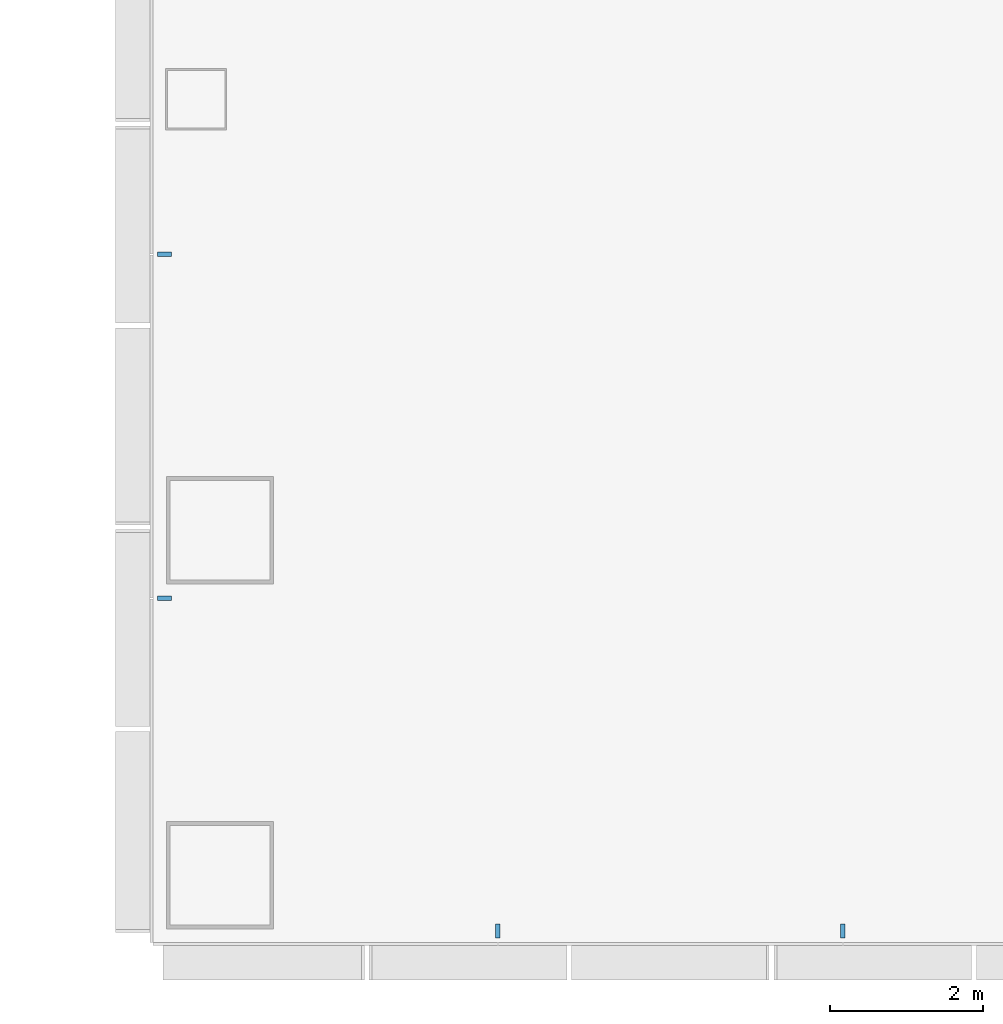
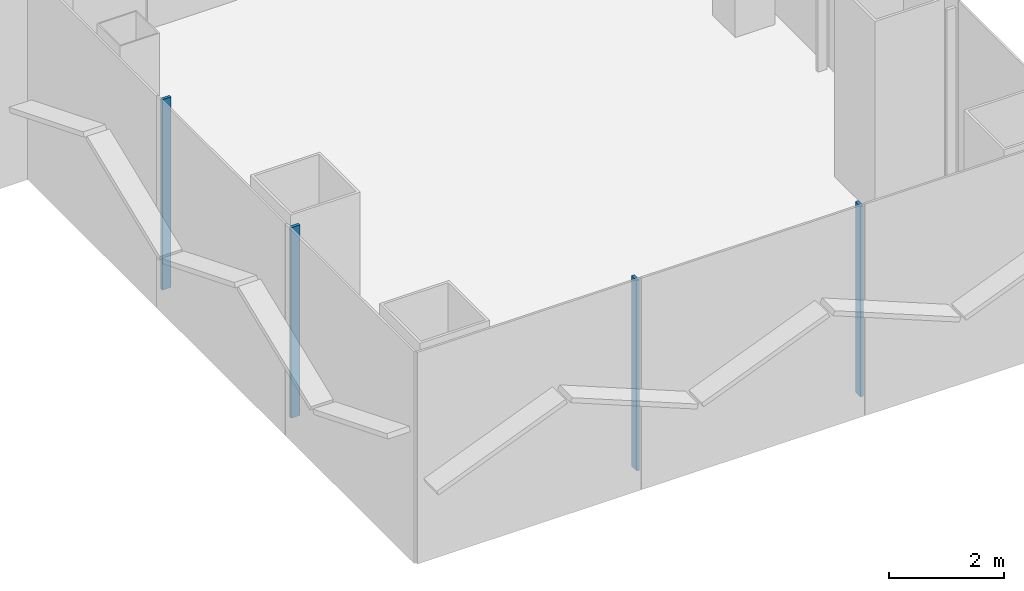
# One storey, part 3 of 22: 4 members, 2 elements without a shape of their own.
"""IFC4 building model written with IfcOpenShell, lengths in metres."""

import ifcopenshell
import ifcopenshell.guid

model = None  # the IFC model being written
_history = None  # IfcOwnerHistory: only IFC2X3 demands one
_inside = {}  # id of a spatial element -> (the spatial element, [elements in it])
_under = {}  # id of a project, library or spatial element -> (it, [spatial elements below it])
_declared = {}  # id of a project -> (the project, [libraries it declares])
_typed = {}  # id of a type object -> (the type object, [elements of that type])
_made_of = {}  # id of a material, layer set ... -> (it, [elements and type objects made of it])


def new_model(schema):
    """Start an empty IFC model of exactly this schema.

    Asked for "IFC4X3", IfcOpenShell would pick the latest addendum, in which some entities
    have other attributes; the version numbers below select the first issue.
    IFC2X3 requires an IfcOwnerHistory on every rooted entity: one is made here for all.
    """
    global model, _history
    if schema == "IFC4X3":
        model = ifcopenshell.file(schema_version=(4, 3, 0, 0))
    else:
        model = ifcopenshell.file(schema=schema)
    _inside.clear()
    _under.clear()
    _declared.clear()
    _typed.clear()
    _made_of.clear()
    _history = None
    if model.schema == "IFC2X3":
        org = make("IfcOrganization", Name="unknown")
        user = make(
            "IfcPersonAndOrganization",
            ThePerson=make("IfcPerson", FamilyName="unknown"),
            TheOrganization=org,
        )
        app = make(
            "IfcApplication",
            ApplicationDeveloper=org,
            Version="unknown",
            ApplicationFullName="unknown",
            ApplicationIdentifier="unknown",
        )
        _history = make(
            "IfcOwnerHistory",
            OwningUser=user,
            OwningApplication=app,
            ChangeAction="ADDED",
            CreationDate=0,
        )
    return model


def make(cls, **values):
    """One entity of the class cls with the attributes given. An attribute that is None is left unset."""
    return model.create_entity(
        cls, **{name: value for name, value in values.items() if value is not None}
    )


def rooted(cls, **values):
    """An entity with a GlobalId (a new one), such as an element, a storey or a relation."""
    return make(cls, GlobalId=ifcopenshell.guid.new(), OwnerHistory=_history, **values)


def si_unit(unit_type, name, prefix=None):
    """IfcSIUnit, for example si_unit("LENGTHUNIT", "METRE", prefix="MILLI")."""
    return make("IfcSIUnit", UnitType=unit_type, Prefix=prefix, Name=name)


def assignment(units):
    """IfcUnitAssignment: the units of a project."""
    return None if units is None else make("IfcUnitAssignment", Units=units)


def point(xyz):
    """IfcCartesianPoint."""
    return None if xyz is None else make("IfcCartesianPoint", Coordinates=xyz)


def direction(xyz):
    """IfcDirection."""
    return None if xyz is None else make("IfcDirection", DirectionRatios=xyz)


def frame(location, z_axis=None, x_axis=None):
    """IfcAxis2Placement3D, a coordinate frame: its origin and axes. An axis left out is left unset."""
    return make(
        "IfcAxis2Placement3D",
        Location=point(location),
        Axis=direction(z_axis),
        RefDirection=direction(x_axis),
    )


def frame_2d(location, x_axis=None):
    """IfcAxis2Placement2D, a coordinate frame in the plane: its origin and x axis."""
    return make(
        "IfcAxis2Placement2D", Location=point(location), RefDirection=direction(x_axis)
    )


def origin():
    """The frame at (0, 0, 0) with its axes left unset."""
    return frame((0.0, 0.0, 0.0))


def origin_2d():
    """The frame at (0, 0) in the plane with its x axis left unset."""
    return frame_2d((0.0, 0.0))


def place(relative_to, where):
    """IfcLocalPlacement: puts the frame where relative to a parent placement (None: the world)."""
    return make(
        "IfcLocalPlacement", PlacementRelTo=relative_to, RelativePlacement=where
    )


def context(
    kind, dimensions, precision=None, world=None, true_north=None, identifier=None
):
    """IfcGeometricRepresentationContext, for example the 3D "Model" context."""
    return make(
        "IfcGeometricRepresentationContext",
        ContextIdentifier=identifier,
        ContextType=kind,
        CoordinateSpaceDimension=dimensions,
        Precision=precision,
        WorldCoordinateSystem=world,
        TrueNorth=true_north,
    )


def subcontext(parent, identifier, kind, view, scale=None):
    """IfcGeometricRepresentationSubContext, for example "Body" below "Model"."""
    return make(
        "IfcGeometricRepresentationSubContext",
        ContextIdentifier=identifier,
        ContextType=kind,
        ParentContext=parent,
        TargetScale=scale,
        TargetView=view,
    )


def project(units=None, contexts=None):
    """IfcProject with its units and contexts."""
    return rooted(
        "IfcProject",
        Name="project",
        RepresentationContexts=contexts,
        UnitsInContext=assignment(units),
    )


def spatial(cls, under=None, at=None, **own):
    """A site, building, storey or space (cls), placed at a placement, below another one or the project."""
    s = rooted(cls, ObjectPlacement=at, **own)
    if under is not None:
        _under.setdefault(under.id(), (under, []))[1].append(s)
    return s


def profile(cls, at=None, kind="AREA", **sizes):
    """A parametric profile (cls). Its sizes go by their IFC names, for example OverallWidth=200.0."""
    return make(cls, ProfileType=kind, Position=at, **sizes)


def rectangle(**sizes):
    """IfcRectangleProfileDef."""
    return profile("IfcRectangleProfileDef", **sizes)


def extrude(swept, where, along, depth):
    """IfcExtrudedAreaSolid: the profile swept, set in the frame where, extruded along a direction by depth."""
    return make(
        "IfcExtrudedAreaSolid",
        SweptArea=swept,
        Position=where,
        ExtrudedDirection=direction(along),
        Depth=depth,
    )


def shape(context_of_items, identifier, shape_type, items):
    """IfcShapeRepresentation: the items that make up one representation, for example the "Body"."""
    return make(
        "IfcShapeRepresentation",
        ContextOfItems=context_of_items,
        RepresentationIdentifier=identifier,
        RepresentationType=shape_type,
        Items=items,
    )


def material(Name=None, Category=None):
    """IfcMaterial."""
    return make("IfcMaterial", Name=Name, Category=Category)


def layer(
    of_material, thickness, ventilated=None, Name=None, Category=None, Priority=None
):
    """IfcMaterialLayer: one layer of a wall or slab, of a material (None: an air gap)."""
    return make(
        "IfcMaterialLayer",
        Material=of_material,
        LayerThickness=thickness,
        IsVentilated=ventilated,
        Name=Name,
        Category=Category,
        Priority=Priority,
    )


def layer_set(layers, Name=None):
    """IfcMaterialLayerSet."""
    return make("IfcMaterialLayerSet", MaterialLayers=layers, LayerSetName=Name)


def material_profile(
    of_material, cross_section, Name=None, Category=None, Priority=None
):
    """IfcMaterialProfile: a cross section and its material."""
    return make(
        "IfcMaterialProfile",
        Name=Name,
        Material=of_material,
        Profile=cross_section,
        Priority=Priority,
        Category=Category,
    )


def profile_set(profiles, Name=None, composite=None):
    """IfcMaterialProfileSet."""
    return make(
        "IfcMaterialProfileSet",
        Name=Name,
        MaterialProfiles=profiles,
        CompositeProfile=composite,
    )


def made_of(thing, what):
    """Note that an element or type object is made of a material, layer set ...; save() writes the relation."""
    if what is not None:
        _made_of.setdefault(what.id(), (what, []))[1].append(thing)
    return thing


def type_object(cls, material=None, **own):
    """A type object (cls), such as IfcWallType, which elements share."""
    return made_of(rooted(cls, **own), material)


def element(
    cls,
    number,
    at=None,
    inside=None,
    cuts=None,
    type_object=None,
    material=None,
    context=None,
    identifier="Body",
    shape_type=None,
    held_by="IfcProductDefinitionShape",
    body=None,
    shapes=None,
    **own,
):
    """One element of the class cls, such as IfcWall. Its Tag is "e" and its number.

    at: its placement. inside: the storey or other place that contains it. cuts: it is an
    opening in that element (IfcRelVoidsElement). A single representation is given by context,
    identifier, shape_type and body (its items); several are given by shapes. held_by: the class
    of the entity that holds the representations. save() writes the other relations.
    """
    e = rooted(cls, Tag="e%d" % number, ObjectPlacement=at, **own)
    if body is not None:
        shapes = [shape(context, identifier, shape_type, body)]
    if shapes is not None:
        e.Representation = make(held_by, Representations=shapes)
    if inside is not None:
        _inside.setdefault(inside.id(), (inside, []))[1].append(e)
    if cuts is not None:
        rooted(
            "IfcRelVoidsElement", RelatingBuildingElement=cuts, RelatedOpeningElement=e
        )
    if type_object is not None:
        _typed.setdefault(type_object.id(), (type_object, []))[1].append(e)
    return made_of(e, material)


def aggregate(whole, parts):
    """IfcRelAggregates: a whole, such as a stair, and the parts it consists of."""
    return rooted("IfcRelAggregates", RelatingObject=whole, RelatedObjects=parts)


def save(model, path):
    """Write the relations noted so far, then the file.

    IfcRelAggregates (storeys below a building ...), IfcRelContainedInSpatialStructure (elements
    in a storey), IfcRelDefinesByType, IfcRelAssociatesMaterial and IfcRelDeclares: one each for
    every whole, place, type object, material and project.
    """
    for whole, parts in _under.values():
        aggregate(whole, parts)
    for where, things in _inside.values():
        rooted(
            "IfcRelContainedInSpatialStructure",
            RelatedElements=things,
            RelatingStructure=where,
        )
    for kind, things in _typed.values():
        rooted("IfcRelDefinesByType", RelatedObjects=things, RelatingType=kind)
    for what, things in _made_of.values():
        rooted("IfcRelAssociatesMaterial", RelatedObjects=things, RelatingMaterial=what)
    for by, libraries in _declared.values():
        rooted("IfcRelDeclares", RelatingContext=by, RelatedDefinitions=libraries)
    model.write(path)


model = new_model("IFC4")

# Units and contexts
model_context = context("Model", 3, precision=1e-05, world=origin(), true_north=direction((0.0, 1.0)))
body_context = subcontext(model_context, "Body", "Model", "MODEL_VIEW")
ifc_project = project(units=[si_unit("LENGTHUNIT", "METRE"), si_unit("AREAUNIT", "SQUARE_METRE"), si_unit("VOLUMEUNIT", "CUBIC_METRE"), si_unit("PLANEANGLEUNIT", "RADIAN"), si_unit("MASSUNIT", "GRAM", prefix="KILO")], contexts=[model_context])

# Site, building, storey
site_placement = place(None, origin())
site = spatial("IfcSite", under=ifc_project, at=site_placement, CompositionType="ELEMENT")
building_placement = place(site_placement, origin())
building = spatial("IfcBuilding", under=site, at=building_placement, Name="Shamsa Quay Exchange Towers", CompositionType="ELEMENT")
storey_placement = place(building_placement, frame((0.0, 0.0, 37.5)))
storey = spatial("IfcBuildingStorey", under=building, at=storey_placement, Name="L07", CompositionType="ELEMENT", Elevation=37.5)

# Curtain wall, members
ifc_material = material(Name="Aluminium EN AW-6063 T6, black anodised", Category="aluminium")
ifc_layer = layer(ifc_material, 0.280029296875)
ifc_layer_set = layer_set([ifc_layer], Name="CW-1 UNITISED VISION GLASS")
curtain_wall_type = type_object("IfcCurtainWallType", Name="CW-1 UNITISED VISION GLASS", PredefinedType="NOTDEFINED", material=ifc_layer_set)
curtain_wall_1_placement = place(storey_placement, origin())
curtain_wall_1 = element("IfcCurtainWall", 1, at=curtain_wall_1_placement, inside=storey, type_object=curtain_wall_type, Name="CW1 T1-FLK-V-W L07", PredefinedType="NOTDEFINED")
ifc_material_profile = material_profile(ifc_material, rectangle(XDim=0.179931640625, YDim=0.06005859375, at=origin_2d()), Name="MU60x180")
ifc_profile_set = profile_set([ifc_material_profile], Name="Aluminium EN AW-6063 T6, black anodised")
member_type = type_object("IfcMemberType", Name="CW1 MULLION 60x180", PredefinedType="MULLION", material=ifc_profile_set)
member_1_placement = place(storey_placement, frame((-40.35009765625, -15.775390625, 0.0)))
member_1 = element("IfcMember", 2, at=member_1_placement, type_object=member_type, Name="CW1 mullion", PredefinedType="MULLION", context=body_context, shape_type="SweptSolid", body=[
    extrude(rectangle(XDim=0.179931640625, YDim=0.06005859375, at=origin_2d()), origin(), (0.0, 0.0, 1.0), 4.050048828125),
])
member_2_placement = place(storey_placement, frame((-40.35009765625, -20.2626953125, 0.0)))
member_2 = element("IfcMember", 3, at=member_2_placement, type_object=member_type, Name="CW1 mullion", PredefinedType="MULLION", context=body_context, shape_type="SweptSolid", body=[
    extrude(rectangle(XDim=0.179931640625, YDim=0.06005859375, at=origin_2d()), origin(), (0.0, 0.0, 1.0), 4.050048828125),
])
aggregate(curtain_wall_1, [member_1, member_2])

curtain_wall_2_placement = place(storey_placement, origin())
curtain_wall_2 = element("IfcCurtainWall", 4, at=curtain_wall_2_placement, inside=storey, type_object=curtain_wall_type, Name="CW1 T1-END-V- L07", PredefinedType="NOTDEFINED")
member_3_placement = place(storey_placement, frame((-36.0, -24.60009765625, 0.0), z_axis=(0.0, 0.0, 1.0), x_axis=(0.0, 1.0, 0.0)))
member_3 = element("IfcMember", 5, at=member_3_placement, type_object=member_type, Name="CW1 mullion", PredefinedType="MULLION", context=body_context, shape_type="SweptSolid", body=[
    extrude(rectangle(XDim=0.179931640625, YDim=0.06005859375, at=origin_2d()), origin(), (0.0, 0.0, 1.0), 4.050048828125),
])
member_4_placement = place(storey_placement, frame((-31.5, -24.60009765625, 0.0), z_axis=(0.0, 0.0, 1.0), x_axis=(0.0, 1.0, 0.0)))
member_4 = element("IfcMember", 6, at=member_4_placement, type_object=member_type, Name="CW1 mullion", PredefinedType="MULLION", context=body_context, shape_type="SweptSolid", body=[
    extrude(rectangle(XDim=0.179931640625, YDim=0.06005859375, at=origin_2d()), origin(), (0.0, 0.0, 1.0), 4.050048828125),
])
aggregate(curtain_wall_2, [member_3, member_4])

save(model, "model.ifc")
